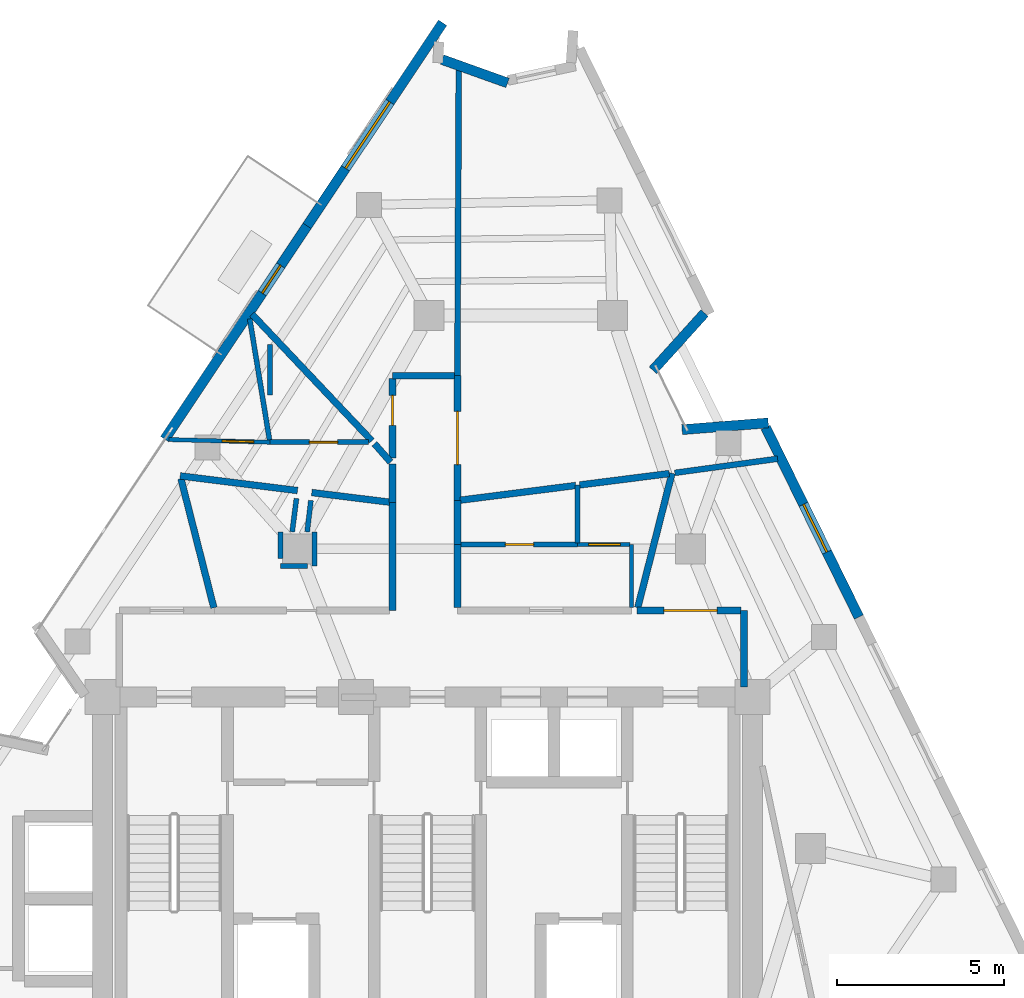
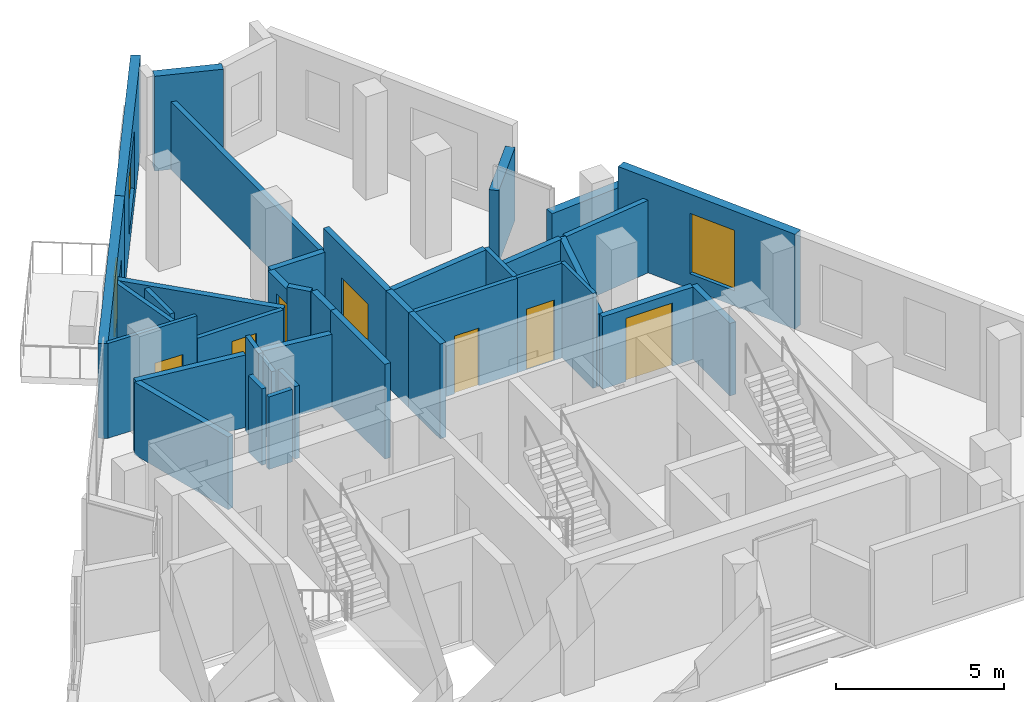
# One storey, part 6 of 8: 38 walls, 8 doors, 2 windows, 10 openings.
"""IFC4 building model written with IfcOpenShell, lengths in metres."""

from ifc_helpers import new_model, si_unit, direction, frame, frame_2d, origin, place, context, subcontext, project, spatial, rectangle, extrude, material, layer, layer_set, type_object, element, fill, save


model = new_model("IFC4")

# Units and contexts
model_context = context("Model", 3, precision=1e-05, world=origin(), true_north=direction((0.0, 1.0)))
body_context = subcontext(model_context, "Body", "Model", "MODEL_VIEW")
ifc_project = project(units=[si_unit("LENGTHUNIT", "METRE"), si_unit("AREAUNIT", "SQUARE_METRE"), si_unit("VOLUMEUNIT", "CUBIC_METRE"), si_unit("PLANEANGLEUNIT", "RADIAN"), si_unit("MASSUNIT", "GRAM", prefix="KILO")], contexts=[model_context])

# Site, building, storey
site_placement = place(None, origin())
site = spatial("IfcSite", under=ifc_project, at=site_placement, CompositionType="ELEMENT")
building_placement = place(site_placement, origin())
building = spatial("IfcBuilding", under=site, at=building_placement, Name="Almagre Mirador Tower", CompositionType="ELEMENT")
storey_placement = place(building_placement, frame((0.0, 0.0, 285.75)))
storey = spatial("IfcBuildingStorey", under=building, at=storey_placement, Name="L74", CompositionType="ELEMENT", Elevation=285.75)

# Wall, opening, door
ifc_material_1 = material(Name="Precast concrete C50/60", Category="concrete")
ifc_layer_1 = layer(ifc_material_1, 0.300048828125)
ifc_layer_set_1 = layer_set([ifc_layer_1], Name="Precast concrete C50/60")
wall_type_1 = type_object("IfcWallType", Name="WAL-EXT-300", PredefinedType="SOLIDWALL", material=ifc_layer_set_1)
wall_1_placement = place(storey_placement, frame((29.414794921875, 22.493408203125, 0.0), z_axis=(0.0, 0.0, 1.0), x_axis=(0.5552198311, 0.831703636612, 0.0)))
wall_1 = element("IfcWall", 1, at=wall_1_placement, inside=storey, type_object=wall_type_1, Name="L74 expressed almagre precast frame wall 03", PredefinedType="SOLIDWALL", context=body_context, shape_type="SweptSolid", body=[
    extrude(rectangle(XDim=7.6962890625, YDim=0.300048828125, at=frame_2d((3.84814453125, 0.0))), origin(), (0.0, 0.0, 1.0), 3.449951171875),
])
opening_1_placement = place(wall_1_placement, frame((5.2685546875, 0.0, 0.0)))
opening_1 = element("IfcOpeningElement", 2, at=opening_1_placement, cuts=wall_1, Name="Opening BD-01", PredefinedType="OPENING", context=body_context, shape_type="SweptSolid", body=[
    extrude(rectangle(XDim=1.0, YDim=2.199951171875, at=frame_2d((0.5, 1.10009765625))), frame((0.0, 0.159902, 0.0), z_axis=(0.0, -1.0, 0.0), x_axis=(1.0, 0.0, 0.0)), (0.0, 0.0, 1.0), 0.320049),
])
ifc_material_2 = material(Name="Black anodized aluminium and laminated glass", Category="aluminium")
door_type_1 = type_object("IfcDoorType", Name="DOR-BAL-1000X2200", OperationType="NOTDEFINED", PredefinedType="DOOR", material=ifc_material_2)
door_1_placement = place(opening_1_placement, origin())
door_1 = element("IfcDoor", 3, at=door_1_placement, inside=storey, type_object=door_type_1, Name="DR-2211 L74 west balcony glazed door 1", OperationType="SINGLE_SWING_RIGHT", OverallHeight=2.199951171875, OverallWidth=1.0, PredefinedType="DOOR", context=body_context, shape_type="SweptSolid", body=[
    extrude(rectangle(XDim=1.0, YDim=2.199951171875, at=frame_2d((0.5, 1.10009765625))), frame((0.0, 0.02490234375, 0.0), z_axis=(0.0, -1.0, 0.0), x_axis=(1.0, 0.0, 0.0)), (0.0, 0.0, 1.0), 0.050048828125),
])
fill(opening_1, door_1)

# Wall, opening, window
wall_2_placement = place(storey_placement, frame((33.68798828125, 28.89453125, 0.0), z_axis=(0.0, 0.0, 1.0), x_axis=(0.555199825996, 0.831716991058, 0.0)))
wall_2 = element("IfcWall", 4, at=wall_2_placement, inside=storey, type_object=wall_type_1, Name="L74 expressed almagre precast frame wall 04", PredefinedType="SOLIDWALL", context=body_context, shape_type="SweptSolid", body=[
    extrude(rectangle(XDim=7.328125, YDim=0.300048828125, at=frame_2d((3.6640625, 0.0))), origin(), (0.0, 0.0, 1.0), 3.449951171875),
])
opening_2_placement = place(wall_2_placement, frame((2.074951171875, 0.0, 0.60009765625)))
opening_2 = element("IfcOpeningElement", 5, at=opening_2_placement, cuts=wall_2, Name="Opening WN-02", PredefinedType="OPENING", context=body_context, shape_type="SweptSolid", body=[
    extrude(rectangle(XDim=2.39990234375, YDim=2.10009765625, at=frame_2d((1.199951171875, 1.050048828125))), frame((0.0, 0.159902, 0.0), z_axis=(0.0, -1.0, 0.0), x_axis=(1.0, 0.0, 0.0)), (0.0, 0.0, 1.0), 0.320049),
])
ifc_material_3 = material(Name="Dark solar-control laminated hurricane glass", Category="glass")
window_type_1 = type_object("IfcWindowType", Name="WIN-2400X2100", PartitioningType="TRIPLE_PANEL_VERTICAL", PredefinedType="WINDOW", material=ifc_material_3)
window_1_placement = place(opening_2_placement, origin())
window_1 = element("IfcWindow", 6, at=window_1_placement, inside=storey, type_object=window_type_1, Name="L74 recessed hurricane window L74-RST-K", OverallHeight=2.10009765625, OverallWidth=2.39990234375, PartitioningType="SINGLE_PANEL", PredefinedType="WINDOW", context=body_context, shape_type="SweptSolid", body=[
    extrude(rectangle(XDim=2.39990234375, YDim=2.10009765625, at=frame_2d((1.199951171875, 1.050048828125))), frame((0.0, 0.030029296875, 0.0), z_axis=(0.0, -1.0, 0.0), x_axis=(1.0, 0.0, 0.0)), (0.0, 0.0, 1.0), 0.06005859375),
])
fill(opening_2, window_1)

# Walls
wall_3_placement = place(storey_placement, frame((37.739501953125, 33.88623046875, 0.0), z_axis=(0.0, 0.0, 1.0), x_axis=(0.941667785429, -0.336543878097, 0.0)))
element("IfcWall", 7, at=wall_3_placement, inside=storey, type_object=wall_type_1, Name="L74 expressed almagre precast frame wall 06", PredefinedType="SOLIDWALL", context=body_context, shape_type="SweptSolid", body=[
    extrude(rectangle(XDim=2.087158203125, YDim=0.300048828125, at=frame_2d((1.04345703125, 0.0))), origin(), (0.0, 0.0, 1.0), 3.449951171875),
])
wall_4_placement = place(storey_placement, frame((45.6181640625, 26.276123046875, 0.0), z_axis=(0.0, 0.0, 1.0), x_axis=(-0.670816609781, -0.741623270968, 0.0)))
element("IfcWall", 8, at=wall_4_placement, inside=storey, type_object=wall_type_1, Name="L74 expressed almagre precast frame wall 11", PredefinedType="SOLIDWALL", context=body_context, shape_type="SweptSolid", body=[
    extrude(rectangle(XDim=2.313720703125, YDim=0.300048828125, at=frame_2d((1.15673828125, 0.0))), origin(), (0.0, 0.0, 1.0), 2.64599609375),
])
wall_5_placement = place(storey_placement, frame((44.943359375, 22.778076171875, 0.0), z_axis=(0.0, 0.0, 1.0), x_axis=(0.996934779197, 0.078237114129, 0.0)))
element("IfcWall", 9, at=wall_5_placement, inside=storey, type_object=wall_type_1, Name="L74 expressed almagre precast frame wall 12", PredefinedType="SOLIDWALL", context=body_context, shape_type="SweptSolid", body=[
    extrude(rectangle(XDim=2.59326171875, YDim=0.300048828125, at=frame_2d((1.296630859375, 0.0))), origin(), (0.0, 0.0, 1.0), 2.64599609375),
])

# Wall, opening, window
wall_6_placement = place(storey_placement, frame((47.45068359375, 22.84423828125, 0.0), z_axis=(0.0, 0.0, 1.0), x_axis=(0.441338960022, -0.89734047182, 0.0)))
wall_6 = element("IfcWall", 10, at=wall_6_placement, inside=storey, type_object=wall_type_1, Name="L74 expressed almagre precast frame wall 13", PredefinedType="SOLIDWALL", context=body_context, shape_type="SweptSolid", body=[
    extrude(rectangle(XDim=6.343994140625, YDim=0.300048828125, at=frame_2d((3.171875, 0.0))), origin(), (0.0, 0.0, 1.0), 3.449951171875),
])
opening_3_placement = place(wall_6_placement, frame((2.570068359375, 0.0, 0.550048828125)))
opening_3 = element("IfcOpeningElement", 11, at=opening_3_placement, cuts=wall_6, Name="Opening WN-06", PredefinedType="OPENING", context=body_context, shape_type="SweptSolid", body=[
    extrude(rectangle(XDim=1.60009765625, YDim=2.199951171875, at=frame_2d((0.800048828125, 1.10009765625))), frame((0.0, 0.159902, 0.0), z_axis=(0.0, -1.0, 0.0), x_axis=(1.0, 0.0, 0.0)), (0.0, 0.0, 1.0), 0.320049),
])
ifc_material_4 = material(Name="Dark solar-control laminated hurricane glass", Category="glass")
window_type_2 = type_object("IfcWindowType", Name="WIN-1600X2200", PartitioningType="DOUBLE_PANEL_VERTICAL", PredefinedType="WINDOW", material=ifc_material_4)
window_2_placement = place(opening_3_placement, origin())
window_2 = element("IfcWindow", 12, at=window_2_placement, inside=storey, type_object=window_type_2, Name="L74 recessed hurricane window L74-RST-E", OverallHeight=2.199951171875, OverallWidth=1.60009765625, PartitioningType="SINGLE_PANEL", PredefinedType="WINDOW", context=body_context, shape_type="SweptSolid", body=[
    extrude(rectangle(XDim=1.60009765625, YDim=2.199951171875, at=frame_2d((0.800048828125, 1.10009765625))), frame((0.0, 0.030029296875, 0.0), z_axis=(0.0, -1.0, 0.0), x_axis=(1.0, 0.0, 0.0)), (0.0, 0.0, 1.0), 0.06005859375),
])
fill(opening_3, window_2)

# Wall
ifc_material_5 = material(Name="Gypsum acoustic stud partition", Category="other")
ifc_layer_2 = layer(ifc_material_5, 0.125)
ifc_layer_set_2 = layer_set([ifc_layer_2], Name="Gypsum acoustic stud partition")
wall_type_2 = type_object("IfcWallType", Name="WAL-PRT-125-UTL", PredefinedType="PARTITIONING", material=ifc_layer_set_2)
wall_7_placement = place(storey_placement, frame((43.419921875, 17.43505859375, 0.0), z_axis=(0.0, 0.0, 1.0), x_axis=(0.0, 1.0, 0.0)))
element("IfcWall", 13, at=wall_7_placement, inside=storey, type_object=wall_type_2, Name="L74 interior partition 037", PredefinedType="PARTITIONING", context=body_context, shape_type="SweptSolid", body=[
    extrude(rectangle(XDim=1.89501953125, YDim=0.125, at=frame_2d((0.947509765625, 0.0))), origin(), (0.0, 0.0, 1.0), 3.449951171875),
])

# Wall, opening, door
wall_8_placement = place(storey_placement, frame((43.37255859375, 19.330078125, 0.0), z_axis=(0.0, 0.0, 1.0), x_axis=(-1.0, 0.0, 0.0)))
wall_8 = element("IfcWall", 14, at=wall_8_placement, inside=storey, type_object=wall_type_2, Name="L74 interior partition 038", PredefinedType="PARTITIONING", context=body_context, shape_type="SweptSolid", body=[
    extrude(rectangle(XDim=1.5625, YDim=0.125, at=frame_2d((0.78125, 0.0))), origin(), (0.0, 0.0, 1.0), 3.449951171875),
])
opening_4_placement = place(wall_8_placement, frame((0.282470703125, 0.0, 0.0)))
opening_4 = element("IfcOpeningElement", 15, at=opening_4_placement, cuts=wall_8, Name="Opening UD-01", PredefinedType="OPENING", context=body_context, shape_type="SweptSolid", body=[
    extrude(rectangle(XDim=0.949951171875, YDim=2.199951171875, at=frame_2d((0.47509765625, 1.10009765625))), frame((0.0, 0.0725, 0.0), z_axis=(0.0, -1.0, 0.0), x_axis=(1.0, 0.0, 0.0)), (0.0, 0.0, 1.0), 0.145),
])
ifc_material_6 = material(Name="Solid American walnut timber", Category="wood")
door_type_2 = type_object("IfcDoorType", Name="DOR-UNR-950X2200", OperationType="NOTDEFINED", PredefinedType="DOOR", material=ifc_material_6)
door_2_placement = place(opening_4_placement, origin())
door_2 = element("IfcDoor", 16, at=door_2_placement, inside=storey, type_object=door_type_2, Name="DR-2223 L74 interior door L74-UG-ST to L74-UG-KT", OperationType="SINGLE_SWING_RIGHT", OverallHeight=2.199951171875, OverallWidth=0.949951171875, PredefinedType="DOOR", context=body_context, shape_type="SweptSolid", body=[
    extrude(rectangle(XDim=0.949951171875, YDim=2.199951171875, at=frame_2d((0.47509765625, 1.10009765625))), frame((0.0, 0.02490234375, 0.0), z_axis=(0.0, -1.0, 0.0), x_axis=(1.0, 0.0, 0.0)), (0.0, 0.0, 1.0), 0.050048828125),
])
fill(opening_4, door_2)

wall_9_placement = place(storey_placement, frame((32.570068359375, 22.39990234375, 0.0), z_axis=(0.0, 0.0, 1.0), x_axis=(-0.999650958783, 0.02641894404, 0.0)))
wall_9 = element("IfcWall", 17, at=wall_9_placement, inside=storey, type_object=wall_type_2, Name="L74 interior partition 043", PredefinedType="PARTITIONING", context=body_context, shape_type="SweptSolid", body=[
    extrude(rectangle(XDim=3.031005859375, YDim=0.125, at=frame_2d((1.515625, 0.0))), origin(), (0.0, 0.0, 1.0), 3.449951171875),
])
opening_5_placement = place(wall_9_placement, frame((0.48486328125, 0.0, 0.0)))
opening_5 = element("IfcOpeningElement", 18, at=opening_5_placement, cuts=wall_9, Name="Opening UD-01", PredefinedType="OPENING", context=body_context, shape_type="SweptSolid", body=[
    extrude(rectangle(XDim=0.949951171875, YDim=2.199951171875, at=frame_2d((0.47509765625, 1.10009765625))), frame((0.0, 0.0725, 0.0), z_axis=(0.0, -1.0, 0.0), x_axis=(1.0, 0.0, 0.0)), (0.0, 0.0, 1.0), 0.145),
])
door_3_placement = place(opening_5_placement, origin())
door_3 = element("IfcDoor", 19, at=door_3_placement, inside=storey, type_object=door_type_2, Name="DR-2226 L74 interior door L74-UH-ST to L74-UH-KT", OperationType="SINGLE_SWING_LEFT", OverallHeight=2.199951171875, OverallWidth=0.949951171875, PredefinedType="DOOR", context=body_context, shape_type="SweptSolid", body=[
    extrude(rectangle(XDim=0.949951171875, YDim=2.199951171875, at=frame_2d((0.47509765625, 1.10009765625))), frame((0.0, 0.02490234375, 0.0), z_axis=(0.0, -1.0, 0.0), x_axis=(1.0, 0.0, 0.0)), (0.0, 0.0, 1.0), 0.050048828125),
])
fill(opening_5, door_3)

ifc_material_7 = material(Name="Gypsum acoustic stud partition", Category="other")
ifc_layer_3 = layer(ifc_material_7, 0.14990234375)
ifc_layer_set_3 = layer_set([ifc_layer_3], Name="Gypsum acoustic stud partition")
wall_type_3 = type_object("IfcWallType", Name="WAL-PRT-150-STD", PredefinedType="PARTITIONING", material=ifc_layer_set_3)
wall_10_placement = place(storey_placement, frame((41.81005859375, 19.330078125, 0.0), z_axis=(0.0, 0.0, 1.0), x_axis=(-1.0, 0.0, 0.0)))
wall_10 = element("IfcWall", 20, at=wall_10_placement, inside=storey, type_object=wall_type_3, Name="L74 interior partition 039", PredefinedType="PARTITIONING", context=body_context, shape_type="SweptSolid", body=[
    extrude(rectangle(XDim=3.525146484375, YDim=0.14990234375, at=frame_2d((1.7626953125, 0.0))), origin(), (0.0, 0.0, 1.0), 3.449951171875),
])
opening_6_placement = place(wall_10_placement, frame((1.321044921875, 0.0, 0.0)))
opening_6 = element("IfcOpeningElement", 21, at=opening_6_placement, cuts=wall_10, Name="Opening UD-04", PredefinedType="OPENING", context=body_context, shape_type="SweptSolid", body=[
    extrude(rectangle(XDim=0.85009765625, YDim=2.10009765625, at=frame_2d((0.425048828125, 1.050048828125))), frame((0.0, 0.084951, 0.0), z_axis=(0.0, -1.0, 0.0), x_axis=(1.0, 0.0, 0.0)), (0.0, 0.0, 1.0), 0.169902),
])
ifc_material_8 = material(Name="Moisture-resistant oak timber", Category="wood")
door_type_3 = type_object("IfcDoorType", Name="DOR-UNR-850X2100", OperationType="NOTDEFINED", PredefinedType="DOOR", material=ifc_material_8)
door_4_placement = place(opening_6_placement, origin())
door_4 = element("IfcDoor", 22, at=door_4_placement, inside=storey, type_object=door_type_3, Name="DR-2224 L74 interior door L74-UG-ST to L74-UG-BT", OperationType="SINGLE_SWING_LEFT", OverallHeight=2.10009765625, OverallWidth=0.85009765625, PredefinedType="DOOR", context=body_context, shape_type="SweptSolid", body=[
    extrude(rectangle(XDim=0.85009765625, YDim=2.10009765625, at=frame_2d((0.425048828125, 1.050048828125))), frame((0.0, 0.02490234375, 0.0), z_axis=(0.0, -1.0, 0.0), x_axis=(1.0, 0.0, 0.0)), (0.0, 0.0, 1.0), 0.050048828125),
])
fill(opening_6, door_4)

# Wall
wall_11_placement = place(storey_placement, frame((41.81005859375, 21.110107421875, 0.0), z_axis=(0.0, 0.0, 1.0), x_axis=(0.0, -1.0, 0.0)))
element("IfcWall", 23, at=wall_11_placement, inside=storey, type_object=wall_type_3, Name="L74 interior partition 040", PredefinedType="PARTITIONING", context=body_context, shape_type="SweptSolid", body=[
    extrude(rectangle(XDim=1.732666015625, YDim=0.14990234375, at=frame_2d((0.8662109375, 0.0))), origin(), (0.0, 0.0, 1.0), 3.449951171875),
])

# Wall, opening, door
wall_12_placement = place(storey_placement, frame((35.530029296875, 22.39990234375, 0.0), z_axis=(0.0, 0.0, 1.0), x_axis=(-1.0, 0.0, 0.0)))
wall_12 = element("IfcWall", 24, at=wall_12_placement, inside=storey, type_object=wall_type_3, Name="L74 interior partition 044", PredefinedType="PARTITIONING", context=body_context, shape_type="SweptSolid", body=[
    extrude(rectangle(XDim=2.9599609375, YDim=0.14990234375, at=frame_2d((1.47998046875, 0.0))), origin(), (0.0, 0.0, 1.0), 2.635009765625),
])
opening_7_placement = place(wall_12_placement, frame((0.927001953125, 0.0, 0.0)))
opening_7 = element("IfcOpeningElement", 25, at=opening_7_placement, cuts=wall_12, Name="Opening UD-04", PredefinedType="OPENING", context=body_context, shape_type="SweptSolid", body=[
    extrude(rectangle(XDim=0.85009765625, YDim=2.10009765625, at=frame_2d((0.425048828125, 1.050048828125))), frame((0.0, 0.084951, 0.0), z_axis=(0.0, -1.0, 0.0), x_axis=(1.0, 0.0, 0.0)), (0.0, 0.0, 1.0), 0.169902),
])
door_5_placement = place(opening_7_placement, origin())
door_5 = element("IfcDoor", 26, at=door_5_placement, inside=storey, type_object=door_type_3, Name="DR-2227 L74 interior door L74-UH-ST to L74-UH-BT", OperationType="SINGLE_SWING_RIGHT", OverallHeight=2.10009765625, OverallWidth=0.85009765625, PredefinedType="DOOR", context=body_context, shape_type="SweptSolid", body=[
    extrude(rectangle(XDim=0.85009765625, YDim=2.10009765625, at=frame_2d((0.425048828125, 1.050048828125))), frame((0.0, 0.02490234375, 0.0), z_axis=(0.0, -1.0, 0.0), x_axis=(1.0, 0.0, 0.0)), (0.0, 0.0, 1.0), 0.050048828125),
])
fill(opening_7, door_5)

# Walls
wall_13_placement = place(storey_placement, frame((32.562744140625, 22.447021484375, 0.0), z_axis=(0.0, 0.0, 1.0), x_axis=(-0.161074254275, 0.986942290415, 0.0)))
element("IfcWall", 27, at=wall_13_placement, inside=storey, type_object=wall_type_3, Name="L74 interior partition 046", PredefinedType="PARTITIONING", context=body_context, shape_type="SweptSolid", body=[
    extrude(rectangle(XDim=3.704345703125, YDim=0.14990234375, at=frame_2d((1.85205078125, 0.0))), origin(), (0.0, 0.0, 1.0), 2.64111328125),
])
wall_14_placement = place(storey_placement, frame((33.802001953125, 20.652099609375, 0.0), z_axis=(0.0, 0.0, 1.0), x_axis=(-0.118110191018, -0.993000494853, 0.0)))
element("IfcWall", 28, at=wall_14_placement, inside=storey, type_object=wall_type_3, Name="L74 interior partition 052", PredefinedType="PARTITIONING", context=body_context, shape_type="SweptSolid", body=[
    extrude(rectangle(XDim=0.94873046875, YDim=0.14990234375, at=frame_2d((0.474365234375, 0.0))), origin(), (0.0, 0.0, 1.0), 2.635009765625),
])
wall_15_placement = place(storey_placement, frame((33.909912109375, 19.7099609375, 0.0), z_axis=(0.0, 0.0, 1.0), x_axis=(0.0, -1.0, 0.0)))
element("IfcWall", 29, at=wall_15_placement, inside=storey, type_object=wall_type_3, Name="L74 interior partition 053", PredefinedType="PARTITIONING", context=body_context, shape_type="SweptSolid", body=[
    extrude(rectangle(XDim=1.02001953125, YDim=0.14990234375, at=frame_2d((0.510009765625, 0.0))), origin(), (0.0, 0.0, 1.0), 2.635009765625),
])
wall_16_placement = place(storey_placement, frame((33.695068359375, 18.68994140625, 0.0), z_axis=(0.0, 0.0, 1.0), x_axis=(-1.0, 0.0, 0.0)))
element("IfcWall", 30, at=wall_16_placement, inside=storey, type_object=wall_type_3, Name="L74 interior partition 054", PredefinedType="PARTITIONING", context=body_context, shape_type="SweptSolid", body=[
    extrude(rectangle(XDim=0.80517578125, YDim=0.14990234375, at=frame_2d((0.402587890625, 0.0))), origin(), (0.0, 0.0, 1.0), 2.635009765625),
])
wall_17_placement = place(storey_placement, frame((32.889892578125, 18.905029296875, 0.0), z_axis=(0.0, 0.0, 1.0), x_axis=(0.0, 1.0, 0.0)))
element("IfcWall", 31, at=wall_17_placement, inside=storey, type_object=wall_type_3, Name="L74 interior partition 055", PredefinedType="PARTITIONING", context=body_context, shape_type="SweptSolid", body=[
    extrude(rectangle(XDim=0.804931640625, YDim=0.14990234375, at=frame_2d((0.40234375, 0.0))), origin(), (0.0, 0.0, 1.0), 2.784912109375),
])
wall_18_placement = place(storey_placement, frame((33.239990234375, 19.7099609375, 0.0), z_axis=(0.0, 0.0, 1.0), x_axis=(0.127603253924, 0.991825291867, 0.0)))
element("IfcWall", 32, at=wall_18_placement, inside=storey, type_object=wall_type_3, Name="L74 interior partition 056", PredefinedType="PARTITIONING", context=body_context, shape_type="SweptSolid", body=[
    extrude(rectangle(XDim=1.01025390625, YDim=0.14990234375, at=frame_2d((0.505126953125, 0.0))), origin(), (0.0, 0.0, 1.0), 3.449951171875),
])
wall_19_placement = place(storey_placement, frame((32.570068359375, 25.3349609375, 0.0), z_axis=(0.0, 0.0, 1.0), x_axis=(0.0, -1.0, 0.0)))
element("IfcWall", 33, at=wall_19_placement, inside=storey, type_object=wall_type_3, Name="L74 interior partition 057", PredefinedType="PARTITIONING", context=body_context, shape_type="SweptSolid", body=[
    extrude(rectangle(XDim=1.513916015625, YDim=0.14990234375, at=frame_2d((0.7568359375, 0.0))), origin(), (0.0, 0.0, 1.0), 2.64111328125),
])
ifc_material_9 = material(Name="Gypsum acoustic stud partition", Category="other")
ifc_layer_4 = layer(ifc_material_9, 0.175048828125)
ifc_layer_set_4 = layer_set([ifc_layer_4], Name="Gypsum acoustic stud partition")
wall_type_4 = type_object("IfcWallType", Name="WAL-PRT-175-AC", PredefinedType="PARTITIONING", material=ifc_layer_set_4)
wall_20_placement = place(storey_placement, frame((47.80908203125, 21.904052734375, 0.0), z_axis=(0.0, 0.0, 1.0), x_axis=(-0.990734970156, -0.13580949492, 0.0)))
element("IfcWall", 34, at=wall_20_placement, inside=storey, type_object=wall_type_4, Name="L74 interior partition 033", PredefinedType="PARTITIONING", context=body_context, shape_type="SweptSolid", body=[
    extrude(rectangle(XDim=3.113525390625, YDim=0.175048828125, at=frame_2d((1.556640625, 0.0))), origin(), (0.0, 0.0, 1.0), 2.64111328125),
])
wall_21_placement = place(storey_placement, frame((38.239990234375, 33.60888671875, 0.0), z_axis=(0.0, 0.0, 1.0), x_axis=(-0.004347784993, -0.999990548338, 0.0)))
element("IfcWall", 35, at=wall_21_placement, inside=storey, type_object=wall_type_4, Name="L74 interior partition 048", PredefinedType="PARTITIONING", context=body_context, shape_type="SweptSolid", body=[
    extrude(rectangle(XDim=9.208984375, YDim=0.175048828125, at=frame_2d((4.6044921875, 0.0))), origin(), (0.0, 0.0, 1.0), 2.469970703125),
])
ifc_material_10 = material(Name="Gypsum acoustic stud partition", Category="other")
ifc_layer_5 = layer(ifc_material_10, 0.199951171875)
ifc_layer_set_5 = layer_set([ifc_layer_5], Name="Gypsum acoustic stud partition")
wall_type_5 = type_object("IfcWallType", Name="WAL-PRT-200-EI60", PredefinedType="PARTITIONING", material=ifc_layer_set_5)
wall_22_placement = place(storey_placement, frame((46.800048828125, 15.050048828125, 0.0), z_axis=(0.0, 0.0, 1.0), x_axis=(0.0, 1.0, 0.0)))
element("IfcWall", 36, at=wall_22_placement, inside=storey, type_object=wall_type_5, Name="L74 interior partition 002", PredefinedType="PARTITIONING", context=body_context, shape_type="SweptSolid", body=[
    extrude(rectangle(XDim=2.300048828125, YDim=0.199951171875, at=frame_2d((1.14990234375, 0.0))), origin(), (0.0, 0.0, 1.0), 2.635009765625),
])

# Wall, opening, door
wall_23_placement = place(storey_placement, frame((46.715087890625, 17.35009765625, 0.0), z_axis=(0.0, 0.0, 1.0), x_axis=(-1.0, 0.0, 0.0)))
wall_23 = element("IfcWall", 37, at=wall_23_placement, inside=storey, type_object=wall_type_5, Name="L74 interior partition 003", PredefinedType="PARTITIONING", context=body_context, shape_type="SweptSolid", body=[
    extrude(rectangle(XDim=3.125, YDim=0.199951171875, at=frame_2d((1.5625, 0.0))), origin(), (0.0, 0.0, 1.0), 2.635009765625),
])
opening_8_placement = place(wall_23_placement, frame((0.719970703125, 0.0, 0.0)))
opening_8 = element("IfcOpeningElement", 38, at=opening_8_placement, cuts=wall_23, Name="Opening ID-05", PredefinedType="OPENING", context=body_context, shape_type="SweptSolid", body=[
    extrude(rectangle(XDim=1.60009765625, YDim=2.300048828125, at=frame_2d((0.800048828125, 1.14990234375))), frame((0.0, 0.110098, 0.0), z_axis=(0.0, -1.0, 0.0), x_axis=(1.0, 0.0, 0.0)), (0.0, 0.0, 1.0), 0.219951),
])
ifc_material_11 = material(Name="Fire-rated acoustic timber", Category="wood")
door_type_4 = type_object("IfcDoorType", Name="DOR-FD60-1600X2300", OperationType="DOUBLE_DOOR_SINGLE_SWING", PredefinedType="DOOR", material=ifc_material_11)
door_6_placement = place(opening_8_placement, origin())
door_6 = element("IfcDoor", 39, at=door_6_placement, inside=storey, type_object=door_type_4, Name="DR-2218 L74 interior door L74-RCOR to L74-RST-E", OperationType="DOUBLE_DOOR_SINGLE_SWING", OverallHeight=2.300048828125, OverallWidth=1.60009765625, PredefinedType="DOOR", context=body_context, shape_type="SweptSolid", body=[
    extrude(rectangle(XDim=1.60009765625, YDim=2.300048828125, at=frame_2d((0.800048828125, 1.14990234375))), frame((0.0, 0.02490234375, 0.0), z_axis=(0.0, -1.0, 0.0), x_axis=(1.0, 0.0, 0.0)), (0.0, 0.0, 1.0), 0.050048828125),
])
fill(opening_8, door_6)

# Walls
wall_24_placement = place(storey_placement, frame((36.25, 20.590087890625, 0.0), z_axis=(0.0, 0.0, 1.0), x_axis=(0.0, -1.0, 0.0)))
element("IfcWall", 40, at=wall_24_placement, inside=storey, type_object=wall_type_5, Name="L74 interior partition 004", PredefinedType="PARTITIONING", context=body_context, shape_type="SweptSolid", body=[
    extrude(rectangle(XDim=3.239990234375, YDim=0.199951171875, at=frame_2d((1.6201171875, 0.0))), origin(), (0.0, 0.0, 1.0), 3.449951171875),
])
wall_25_placement = place(storey_placement, frame((38.199951171875, 17.43505859375, 0.0), z_axis=(0.0, 0.0, 1.0), x_axis=(0.0, 1.0, 0.0)))
element("IfcWall", 41, at=wall_25_placement, inside=storey, type_object=wall_type_5, Name="L74 interior partition 007", PredefinedType="PARTITIONING", context=body_context, shape_type="SweptSolid", body=[
    extrude(rectangle(XDim=1.89501953125, YDim=0.199951171875, at=frame_2d((0.947509765625, 0.0))), origin(), (0.0, 0.0, 1.0), 3.449951171875),
])
wall_26_placement = place(storey_placement, frame((38.199951171875, 19.330078125, 0.0), z_axis=(0.0, 0.0, 1.0), x_axis=(0.0, 1.0, 0.0)))
element("IfcWall", 42, at=wall_26_placement, inside=storey, type_object=wall_type_5, Name="L74 interior partition 008", PredefinedType="PARTITIONING", context=body_context, shape_type="SweptSolid", body=[
    extrude(rectangle(XDim=1.31982421875, YDim=0.199951171875, at=frame_2d((0.659912109375, 0.0))), origin(), (0.0, 0.0, 1.0), 3.449951171875),
])
wall_27_placement = place(storey_placement, frame((36.25, 21.739990234375, 0.0), z_axis=(0.0, 0.0, 1.0), x_axis=(0.0, -1.0, 0.0)))
element("IfcWall", 43, at=wall_27_placement, inside=storey, type_object=wall_type_5, Name="L74 interior partition 011", PredefinedType="PARTITIONING", context=body_context, shape_type="SweptSolid", body=[
    extrude(rectangle(XDim=1.14990234375, YDim=0.199951171875, at=frame_2d((0.574951171875, 0.0))), origin(), (0.0, 0.0, 1.0), 3.449951171875),
])

# Wall, opening, door
wall_28_placement = place(storey_placement, frame((38.199951171875, 20.64990234375, 0.0), z_axis=(0.0, 0.0, 1.0), x_axis=(0.0, 1.0, 0.0)))
wall_28 = element("IfcWall", 44, at=wall_28_placement, inside=storey, type_object=wall_type_5, Name="L74 interior partition 012", PredefinedType="PARTITIONING", context=body_context, shape_type="SweptSolid", body=[
    extrude(rectangle(XDim=3.75, YDim=0.199951171875, at=frame_2d((1.875, 0.0))), origin(), (0.0, 0.0, 1.0), 3.449951171875),
])
opening_9_placement = place(wall_28_placement, frame((1.074951171875, 0.0, 0.0)))
opening_9 = element("IfcOpeningElement", 45, at=opening_9_placement, cuts=wall_28, Name="Opening ID-05", PredefinedType="OPENING", context=body_context, shape_type="SweptSolid", body=[
    extrude(rectangle(XDim=1.60009765625, YDim=2.300048828125, at=frame_2d((0.800048828125, 1.14990234375))), frame((0.0, 0.110098, 0.0), z_axis=(0.0, -1.0, 0.0), x_axis=(1.0, 0.0, 0.0)), (0.0, 0.0, 1.0), 0.219951),
])
door_7_placement = place(opening_9_placement, origin())
door_7 = element("IfcDoor", 46, at=door_7_placement, inside=storey, type_object=door_type_4, Name="DR-2220 L74 interior door L74-RCOR to L74-RST-J", OperationType="DOUBLE_DOOR_SINGLE_SWING", OverallHeight=2.300048828125, OverallWidth=1.60009765625, PredefinedType="DOOR", context=body_context, shape_type="SweptSolid", body=[
    extrude(rectangle(XDim=1.60009765625, YDim=2.300048828125, at=frame_2d((0.800048828125, 1.14990234375))), frame((0.0, 0.02490234375, 0.0), z_axis=(0.0, -1.0, 0.0), x_axis=(1.0, 0.0, 0.0)), (0.0, 0.0, 1.0), 0.050048828125),
])
fill(opening_9, door_7)

# Wall
wall_29_placement = place(storey_placement, frame((38.114990234375, 24.39990234375, 0.0), z_axis=(0.0, 0.0, 1.0), x_axis=(-1.0, 0.0, 0.0)))
element("IfcWall", 47, at=wall_29_placement, inside=storey, type_object=wall_type_5, Name="L74 interior partition 013", PredefinedType="PARTITIONING", context=body_context, shape_type="SweptSolid", body=[
    extrude(rectangle(XDim=1.864990234375, YDim=0.199951171875, at=frame_2d((0.9326171875, 0.0))), origin(), (0.0, 0.0, 1.0), 2.635009765625),
])

# Wall, opening, door
wall_30_placement = place(storey_placement, frame((36.25, 24.31494140625, 0.0), z_axis=(0.0, 0.0, 1.0), x_axis=(0.0, -1.0, 0.0)))
wall_30 = element("IfcWall", 48, at=wall_30_placement, inside=storey, type_object=wall_type_5, Name="L74 interior partition 014", PredefinedType="PARTITIONING", context=body_context, shape_type="SweptSolid", body=[
    extrude(rectangle(XDim=2.389892578125, YDim=0.199951171875, at=frame_2d((1.19482421875, 0.0))), origin(), (0.0, 0.0, 1.0), 2.635009765625),
])
opening_10_placement = place(wall_30_placement, frame((0.510498046875, 0.0, 0.0)))
opening_10 = element("IfcOpeningElement", 49, at=opening_10_placement, cuts=wall_30, Name="Opening ID-03", PredefinedType="OPENING", context=body_context, shape_type="SweptSolid", body=[
    extrude(rectangle(XDim=0.89990234375, YDim=2.10009765625, at=frame_2d((0.449951171875, 1.050048828125))), frame((0.0, 0.110098, 0.0), z_axis=(0.0, -1.0, 0.0), x_axis=(1.0, 0.0, 0.0)), (0.0, 0.0, 1.0), 0.219951),
])
ifc_material_12 = material(Name="Fire-rated hollow steel", Category="steel")
door_type_5 = type_object("IfcDoorType", Name="DOR-FD60-900X2100", OperationType="NOTDEFINED", PredefinedType="DOOR", material=ifc_material_12)
door_8_placement = place(opening_10_placement, origin())
door_8 = element("IfcDoor", 50, at=door_8_placement, inside=storey, type_object=door_type_5, Name="DR-2221 L74 interior door L74-RCOR to L74-RST-K", OperationType="SINGLE_SWING_LEFT", OverallHeight=2.10009765625, OverallWidth=0.89990234375, PredefinedType="DOOR", context=body_context, shape_type="SweptSolid", body=[
    extrude(rectangle(XDim=0.89990234375, YDim=2.10009765625, at=frame_2d((0.449951171875, 1.050048828125))), frame((0.0, 0.02490234375, 0.0), z_axis=(0.0, -1.0, 0.0), x_axis=(1.0, 0.0, 0.0)), (0.0, 0.0, 1.0), 0.050048828125),
])
fill(opening_10, door_8)

# Walls
wall_31_placement = place(storey_placement, frame((44.639892578125, 21.469970703125, 0.0), z_axis=(0.0, 0.0, 1.0), x_axis=(-0.246917398786, -0.969036530878, 0.0)))
element("IfcWall", 51, at=wall_31_placement, inside=storey, type_object=wall_type_5, Name="L74 interior partition 032", PredefinedType="PARTITIONING", context=body_context, shape_type="SweptSolid", body=[
    extrude(rectangle(XDim=4.16650390625, YDim=0.199951171875, at=frame_2d((2.083251953125, 0.0))), origin(), (0.0, 0.0, 1.0), 2.635009765625),
])
wall_32_placement = place(storey_placement, frame((33.39990234375, 20.949951171875, 0.0), z_axis=(0.0, 0.0, 1.0), x_axis=(-0.992279994178, 0.124017793696, 0.0)))
element("IfcWall", 52, at=wall_32_placement, inside=storey, type_object=wall_type_5, Name="L74 interior partition 034", PredefinedType="PARTITIONING", context=body_context, shape_type="SweptSolid", body=[
    extrude(rectangle(XDim=3.54736328125, YDim=0.199951171875, at=frame_2d((1.773681640625, 0.0))), origin(), (0.0, 0.0, 1.0), 2.64111328125),
])
wall_33_placement = place(storey_placement, frame((29.90087890625, 21.3076171875, 0.0), z_axis=(0.0, 0.0, 1.0), x_axis=(0.24705765536, -0.969000781696, 0.0)))
element("IfcWall", 53, at=wall_33_placement, inside=storey, type_object=wall_type_5, Name="L74 interior partition 035", PredefinedType="PARTITIONING", context=body_context, shape_type="SweptSolid", body=[
    extrude(rectangle(XDim=3.999267578125, YDim=0.199951171875, at=frame_2d((1.99951171875, 0.0))), origin(), (0.0, 0.0, 1.0), 2.64111328125),
])
wall_34_placement = place(storey_placement, frame((36.16552734375, 20.6005859375, 0.0), z_axis=(0.0, 0.0, 1.0), x_axis=(-0.992414530334, 0.122936568936, 0.0)))
element("IfcWall", 54, at=wall_34_placement, inside=storey, type_object=wall_type_5, Name="L74 interior partition 036", PredefinedType="PARTITIONING", context=body_context, shape_type="SweptSolid", body=[
    extrude(rectangle(XDim=2.353271484375, YDim=0.199951171875, at=frame_2d((1.1767578125, 0.0))), origin(), (0.0, 0.0, 1.0), 2.635009765625),
])
wall_35_placement = place(storey_placement, frame((44.5556640625, 21.459228515625, 0.0), z_axis=(0.0, 0.0, 1.0), x_axis=(-0.992013507368, -0.126131681978, 0.0)))
element("IfcWall", 55, at=wall_35_placement, inside=storey, type_object=wall_type_5, Name="L74 interior partition 041", PredefinedType="PARTITIONING", context=body_context, shape_type="SweptSolid", body=[
    extrude(rectangle(XDim=2.7080078125, YDim=0.199951171875, at=frame_2d((1.35400390625, 0.0))), origin(), (0.0, 0.0, 1.0), 2.635009765625),
])
wall_36_placement = place(storey_placement, frame((41.75048828125, 21.102294921875, 0.0), z_axis=(0.0, 0.0, 1.0), x_axis=(-0.991980560466, -0.126390536264, 0.0)))
element("IfcWall", 56, at=wall_36_placement, inside=storey, type_object=wall_type_5, Name="L74 interior partition 042", PredefinedType="PARTITIONING", context=body_context, shape_type="SweptSolid", body=[
    extrude(rectangle(XDim=3.494384765625, YDim=0.199951171875, at=frame_2d((1.7470703125, 0.0))), origin(), (0.0, 0.0, 1.0), 3.449951171875),
])
wall_37_placement = place(storey_placement, frame((36.19384765625, 21.8037109375, 0.0), z_axis=(0.0, 0.0, 1.0), x_axis=(-0.659869913994, 0.751379861724, 0.0)))
element("IfcWall", 57, at=wall_37_placement, inside=storey, type_object=wall_type_5, Name="L74 interior partition 045", PredefinedType="PARTITIONING", context=body_context, shape_type="SweptSolid", body=[
    extrude(rectangle(XDim=0.733642578125, YDim=0.199951171875, at=frame_2d((0.36669921875, 0.0))), origin(), (0.0, 0.0, 1.0), 3.449951171875),
])
wall_38_placement = place(storey_placement, frame((35.62890625, 22.443603515625, 0.0), z_axis=(0.0, 0.0, 1.0), x_axis=(-0.687396257766, 0.726282579173, 0.0)))
element("IfcWall", 58, at=wall_38_placement, inside=storey, type_object=wall_type_5, Name="L74 interior partition 047", PredefinedType="PARTITIONING", context=body_context, shape_type="SweptSolid", body=[
    extrude(rectangle(XDim=5.229736328125, YDim=0.199951171875, at=frame_2d((2.61474609375, 0.0))), origin(), (0.0, 0.0, 1.0), 2.635009765625),
])

save(model, "model.ifc")
